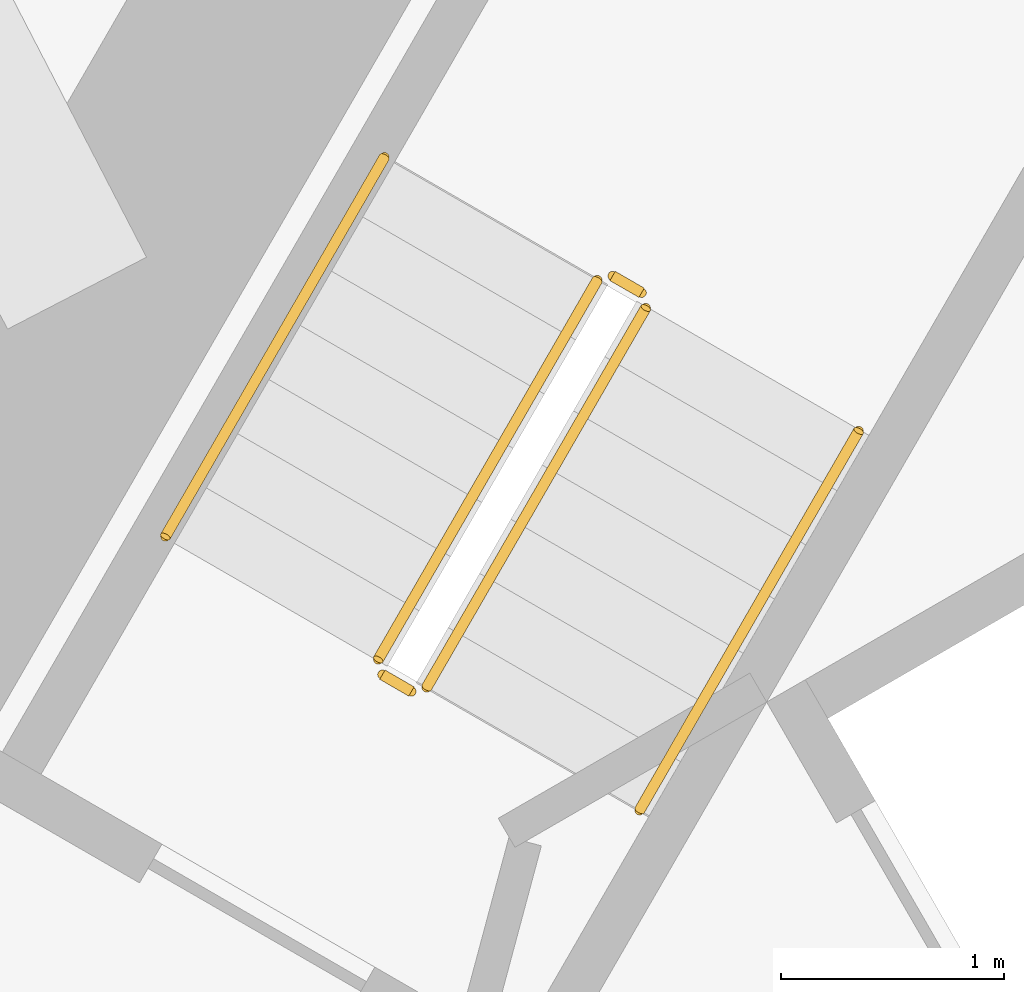
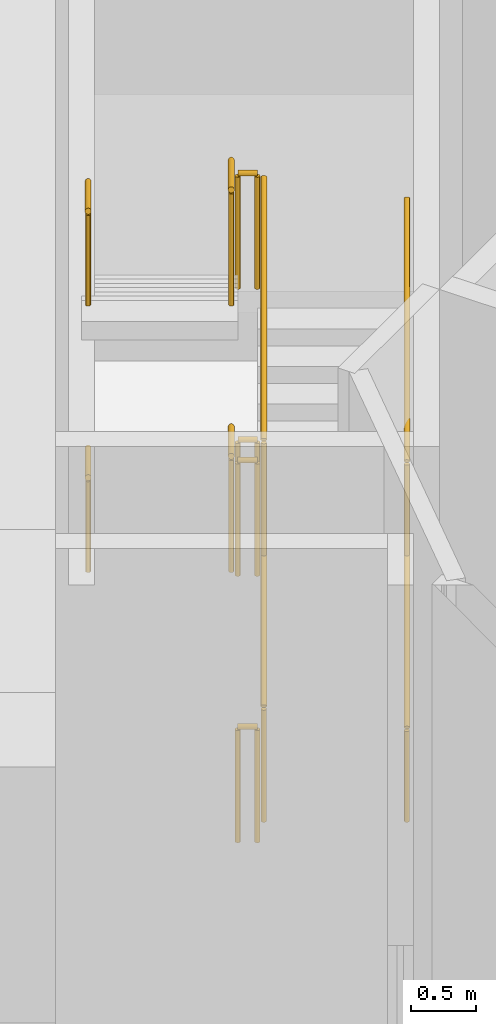
# One storey, part 18 of 20: 12 railings.
"""IFC4 building model written with IfcOpenShell, lengths in metres."""

from ifc_helpers import new_model, si_unit, direction, frame, origin, origin_2d, place, context, subcontext, project, spatial, circle, extrude, material, type_object, element, save


model = new_model("IFC4")

# Units and contexts
model_context = context("Model", 3, precision=1e-05, world=origin(), true_north=direction((0.0, 1.0)))
body_context = subcontext(model_context, "Body", "Model", "MODEL_VIEW")
ifc_project = project(units=[si_unit("LENGTHUNIT", "METRE"), si_unit("AREAUNIT", "SQUARE_METRE"), si_unit("VOLUMEUNIT", "CUBIC_METRE"), si_unit("PLANEANGLEUNIT", "RADIAN"), si_unit("MASSUNIT", "GRAM", prefix="KILO")], contexts=[model_context])

# Site, building, storey
site_placement = place(None, origin())
site = spatial("IfcSite", under=ifc_project, at=site_placement, CompositionType="ELEMENT")
building_placement = place(site_placement, origin())
building = spatial("IfcBuilding", under=site, at=building_placement, Name="Tramontana Tower", CompositionType="ELEMENT")
storey_placement = place(building_placement, frame((0.0, 0.0, 20.0)))
storey = spatial("IfcBuildingStorey", under=building, at=storey_placement, Name="L03", CompositionType="ELEMENT", Elevation=20.0)

# Railings
ifc_material_1 = material(Name="Painted steel", Category="steel")
railing_type_1 = type_object("IfcRailingType", Name="STAIR GUARD 1100", PredefinedType="GUARDRAIL", material=ifc_material_1)
railing_1_placement = place(storey_placement, frame((-1.867431640625, 4.865478515625, 0.15625)))
element("IfcRailing", 1, at=railing_1_placement, inside=storey, type_object=railing_type_1, Name="L03 ST1 stair guard 1", PredefinedType="GUARDRAIL", context=body_context, shape_type="SweptSolid", body=[
    extrude(circle(Radius=0.02392578125, at=origin_2d()), frame((0.0, 0.0, 1.076171875), z_axis=(0.436596390967, 0.756266742998, 0.487282469241), x_axis=(-0.866042469362, 0.499970440388, 0.0)), (0.0, 0.0, 1.0), 2.24462890625),
    extrude(circle(Radius=0.02099609375, at=origin_2d()), origin(), (0.0, 0.0, 1.0), 1.052001953125),
    extrude(circle(Radius=0.02099609375, at=origin_2d()), frame((0.489990234375, 0.8486328125, 0.546875)), (0.0, 0.0, 1.0), 1.052001953125),
    extrude(circle(Radius=0.02099609375, at=origin_2d()), frame((0.97998046875, 1.697509765625, 1.09375)), (0.0, 0.0, 1.0), 1.052001953125),
])
railing_2_placement = place(storey_placement, frame((-1.10400390625, 6.68798828125, 1.40625)))
element("IfcRailing", 2, at=railing_2_placement, inside=storey, type_object=railing_type_1, Name="L03 ST1 stair guard 2", PredefinedType="GUARDRAIL", context=body_context, shape_type="SweptSolid", body=[
    extrude(circle(Radius=0.02392578125, at=origin_2d()), frame((0.0, 0.0, 1.076171875), z_axis=(-0.436596390967, -0.756266742998, 0.487282469241), x_axis=(0.866042469362, -0.499970440388, 0.0)), (0.0, 0.0, 1.0), 2.24462890625),
    extrude(circle(Radius=0.02099609375, at=origin_2d()), origin(), (0.0, 0.0, 1.0), 1.052001953125),
    extrude(circle(Radius=0.02099609375, at=origin_2d()), frame((-0.489990234375, -0.8486328125, 0.546875)), (0.0, 0.0, 1.0), 1.052001953125),
    extrude(circle(Radius=0.02099609375, at=origin_2d()), frame((-0.97998046875, -1.697509765625, 1.09375)), (0.0, 0.0, 1.0), 1.052001953125),
])
railing_3_placement = place(storey_placement, frame((-1.867431640625, 4.865478515625, 2.65625)))
element("IfcRailing", 3, at=railing_3_placement, inside=storey, type_object=railing_type_1, Name="L03 ST1 stair guard 3", PredefinedType="GUARDRAIL", context=body_context, shape_type="SweptSolid", body=[
    extrude(circle(Radius=0.02392578125, at=origin_2d()), frame((0.0, 0.0, 1.076171875), z_axis=(0.436596390967, 0.756266742998, 0.487282469241), x_axis=(-0.866042469362, 0.499970440388, 0.0)), (0.0, 0.0, 1.0), 2.24462890625),
    extrude(circle(Radius=0.02099609375, at=origin_2d()), origin(), (0.0, 0.0, 1.0), 1.052001953125),
    extrude(circle(Radius=0.02099609375, at=origin_2d()), frame((0.489990234375, 0.8486328125, 0.546875)), (0.0, 0.0, 1.0), 1.052001953125),
    extrude(circle(Radius=0.02099609375, at=origin_2d()), frame((0.97998046875, 1.697509765625, 1.09375)), (0.0, 0.0, 1.0), 1.052001953125),
])
railing_4_placement = place(storey_placement, frame((-1.10400390625, 6.68798828125, 3.90625)))
element("IfcRailing", 4, at=railing_4_placement, inside=storey, type_object=railing_type_1, Name="L03 ST1 stair guard 4", PredefinedType="GUARDRAIL", context=body_context, shape_type="SweptSolid", body=[
    extrude(circle(Radius=0.02392578125, at=origin_2d()), frame((0.0, 0.0, 1.076171875), z_axis=(-0.436596390967, -0.756266742998, 0.487282469241), x_axis=(0.866042469362, -0.499970440388, 0.0)), (0.0, 0.0, 1.0), 2.24462890625),
    extrude(circle(Radius=0.02099609375, at=origin_2d()), origin(), (0.0, 0.0, 1.0), 1.052001953125),
    extrude(circle(Radius=0.02099609375, at=origin_2d()), frame((-0.489990234375, -0.8486328125, 0.546875)), (0.0, 0.0, 1.0), 1.052001953125),
    extrude(circle(Radius=0.02099609375, at=origin_2d()), frame((-0.97998046875, -1.697509765625, 1.09375)), (0.0, 0.0, 1.0), 1.052001953125),
])
railing_5_placement = place(storey_placement, frame((-0.90576171875, 6.63134765625, 1.25)))
element("IfcRailing", 5, at=railing_5_placement, inside=storey, type_object=railing_type_1, Name="L03 ST1 stair guard 5", PredefinedType="GUARDRAIL", context=body_context, shape_type="SweptSolid", body=[
    extrude(circle(Radius=0.02392578125, at=origin_2d()), frame((0.0, 0.0, 1.076171875), z_axis=(-0.866131372301, 0.499816412211, 0.0), x_axis=(-0.499816412211, -0.866131372301, 0.0)), (0.0, 0.0, 1.0), 0.14990234375),
    extrude(circle(Radius=0.02099609375, at=origin_2d()), origin(), (0.0, 0.0, 1.0), 1.052001953125),
    extrude(circle(Radius=0.02099609375, at=origin_2d()), frame((-0.1298828125, 0.074951171875, 0.0)), (0.0, 0.0, 1.0), 1.052001953125),
])
railing_6_placement = place(storey_placement, frame((-1.935791015625, 4.84716796875, 2.5)))
element("IfcRailing", 6, at=railing_6_placement, inside=storey, type_object=railing_type_1, Name="L03 ST1 stair guard 6", PredefinedType="GUARDRAIL", context=body_context, shape_type="SweptSolid", body=[
    extrude(circle(Radius=0.02392578125, at=origin_2d()), frame((0.0, 0.0, 1.076171875), z_axis=(-0.865426285481, 0.501036270542, 0.0), x_axis=(-0.501036270542, -0.865426285481, 0.0)), (0.0, 0.0, 1.0), 0.150146484375),
    extrude(circle(Radius=0.02099609375, at=origin_2d()), origin(), (0.0, 0.0, 1.0), 1.052001953125),
    extrude(circle(Radius=0.02099609375, at=origin_2d()), frame((-0.1298828125, 0.0751953125, 0.0)), (0.0, 0.0, 1.0), 1.052001953125),
])
railing_7_placement = place(storey_placement, frame((-0.90576171875, 6.63134765625, 3.75)))
element("IfcRailing", 7, at=railing_7_placement, inside=storey, type_object=railing_type_1, Name="L03 ST1 stair guard 7", PredefinedType="GUARDRAIL", context=body_context, shape_type="SweptSolid", body=[
    extrude(circle(Radius=0.02392578125, at=origin_2d()), frame((0.0, 0.0, 1.076171875), z_axis=(-0.866131372301, 0.499816412211, 0.0), x_axis=(-0.499816412211, -0.866131372301, 0.0)), (0.0, 0.0, 1.0), 0.14990234375),
    extrude(circle(Radius=0.02099609375, at=origin_2d()), origin(), (0.0, 0.0, 1.0), 1.052001953125),
    extrude(circle(Radius=0.02099609375, at=origin_2d()), frame((-0.1298828125, 0.074951171875, 0.0)), (0.0, 0.0, 1.0), 1.052001953125),
])
railing_8_placement = place(storey_placement, frame((-1.935791015625, 4.84716796875, 0.0)))
element("IfcRailing", 8, at=railing_8_placement, inside=storey, type_object=railing_type_1, Name="L03 ST1 stair guard 8", PredefinedType="GUARDRAIL", context=body_context, shape_type="SweptSolid", body=[
    extrude(circle(Radius=0.02392578125, at=origin_2d()), frame((0.0, 0.0, 1.076171875), z_axis=(-0.865426285481, 0.501036270542, 0.0), x_axis=(-0.501036270542, -0.865426285481, 0.0)), (0.0, 0.0, 1.0), 0.150146484375),
    extrude(circle(Radius=0.02099609375, at=origin_2d()), origin(), (0.0, 0.0, 1.0), 1.052001953125),
    extrude(circle(Radius=0.02099609375, at=origin_2d()), frame((-0.1298828125, 0.0751953125, 0.0)), (0.0, 0.0, 1.0), 1.052001953125),
])
ifc_material_2 = material(Name="Painted steel", Category="steel")
railing_type_2 = type_object("IfcRailingType", Name="STAIR HANDRAIL 900", PredefinedType="HANDRAIL", material=ifc_material_2)
railing_9_placement = place(storey_placement, frame((-0.914794921875, 4.315673828125, 0.15625)))
element("IfcRailing", 9, at=railing_9_placement, inside=storey, type_object=railing_type_2, Name="L03 ST1 stair handrail 1", PredefinedType="HANDRAIL", context=body_context, shape_type="SweptSolid", body=[
    extrude(circle(Radius=0.02392578125, at=origin_2d()), frame((0.0, 0.0, 0.8759765625), z_axis=(0.436632306331, 0.756220177781, 0.487322554151), x_axis=(-0.866011328839, 0.500024377727, 0.0)), (0.0, 0.0, 1.0), 2.244384765625),
    extrude(circle(Radius=0.02099609375, at=origin_2d()), origin(), (0.0, 0.0, 1.0), 0.851806640625),
    extrude(circle(Radius=0.02099609375, at=origin_2d()), frame((0.489990234375, 0.8486328125, 0.546875)), (0.0, 0.0, 1.0), 0.851806640625),
    extrude(circle(Radius=0.02099609375, at=origin_2d()), frame((0.97998046875, 1.697265625, 1.09375)), (0.0, 0.0, 1.0), 0.851806640625),
])
railing_10_placement = place(storey_placement, frame((-2.056640625, 7.238037109375, 1.40625)))
element("IfcRailing", 10, at=railing_10_placement, inside=storey, type_object=railing_type_2, Name="L03 ST1 stair handrail 2", PredefinedType="HANDRAIL", context=body_context, shape_type="SweptSolid", body=[
    extrude(circle(Radius=0.02392578125, at=origin_2d()), frame((0.0, 0.0, 0.8759765625), z_axis=(-0.436596390967, -0.756266742998, 0.487282469241), x_axis=(0.866042469362, -0.499970440388, 0.0)), (0.0, 0.0, 1.0), 2.24462890625),
    extrude(circle(Radius=0.02099609375, at=origin_2d()), origin(), (0.0, 0.0, 1.0), 0.851806640625),
    extrude(circle(Radius=0.02099609375, at=origin_2d()), frame((-0.489990234375, -0.8486328125, 0.546875)), (0.0, 0.0, 1.0), 0.851806640625),
    extrude(circle(Radius=0.02099609375, at=origin_2d()), frame((-0.97998046875, -1.697509765625, 1.09375)), (0.0, 0.0, 1.0), 0.851806640625),
])
railing_11_placement = place(storey_placement, frame((-0.914794921875, 4.315673828125, 2.65625)))
element("IfcRailing", 11, at=railing_11_placement, inside=storey, type_object=railing_type_2, Name="L03 ST1 stair handrail 3", PredefinedType="HANDRAIL", context=body_context, shape_type="SweptSolid", body=[
    extrude(circle(Radius=0.02392578125, at=origin_2d()), frame((0.0, 0.0, 0.8759765625), z_axis=(0.436632306331, 0.756220177781, 0.487322554151), x_axis=(-0.866011328839, 0.500024377727, 0.0)), (0.0, 0.0, 1.0), 2.244384765625),
    extrude(circle(Radius=0.02099609375, at=origin_2d()), origin(), (0.0, 0.0, 1.0), 0.851806640625),
    extrude(circle(Radius=0.02099609375, at=origin_2d()), frame((0.489990234375, 0.8486328125, 0.546875)), (0.0, 0.0, 1.0), 0.851806640625),
    extrude(circle(Radius=0.02099609375, at=origin_2d()), frame((0.97998046875, 1.697265625, 1.09375)), (0.0, 0.0, 1.0), 0.851806640625),
])
railing_12_placement = place(storey_placement, frame((-2.056640625, 7.238037109375, 3.90625)))
element("IfcRailing", 12, at=railing_12_placement, inside=storey, type_object=railing_type_2, Name="L03 ST1 stair handrail 4", PredefinedType="HANDRAIL", context=body_context, shape_type="SweptSolid", body=[
    extrude(circle(Radius=0.02392578125, at=origin_2d()), frame((0.0, 0.0, 0.8759765625), z_axis=(-0.436596390967, -0.756266742998, 0.487282469241), x_axis=(0.866042469362, -0.499970440388, 0.0)), (0.0, 0.0, 1.0), 2.24462890625),
    extrude(circle(Radius=0.02099609375, at=origin_2d()), origin(), (0.0, 0.0, 1.0), 0.851806640625),
    extrude(circle(Radius=0.02099609375, at=origin_2d()), frame((-0.489990234375, -0.8486328125, 0.546875)), (0.0, 0.0, 1.0), 0.851806640625),
    extrude(circle(Radius=0.02099609375, at=origin_2d()), frame((-0.97998046875, -1.697509765625, 1.09375)), (0.0, 0.0, 1.0), 0.851806640625),
])

save(model, "model.ifc")
